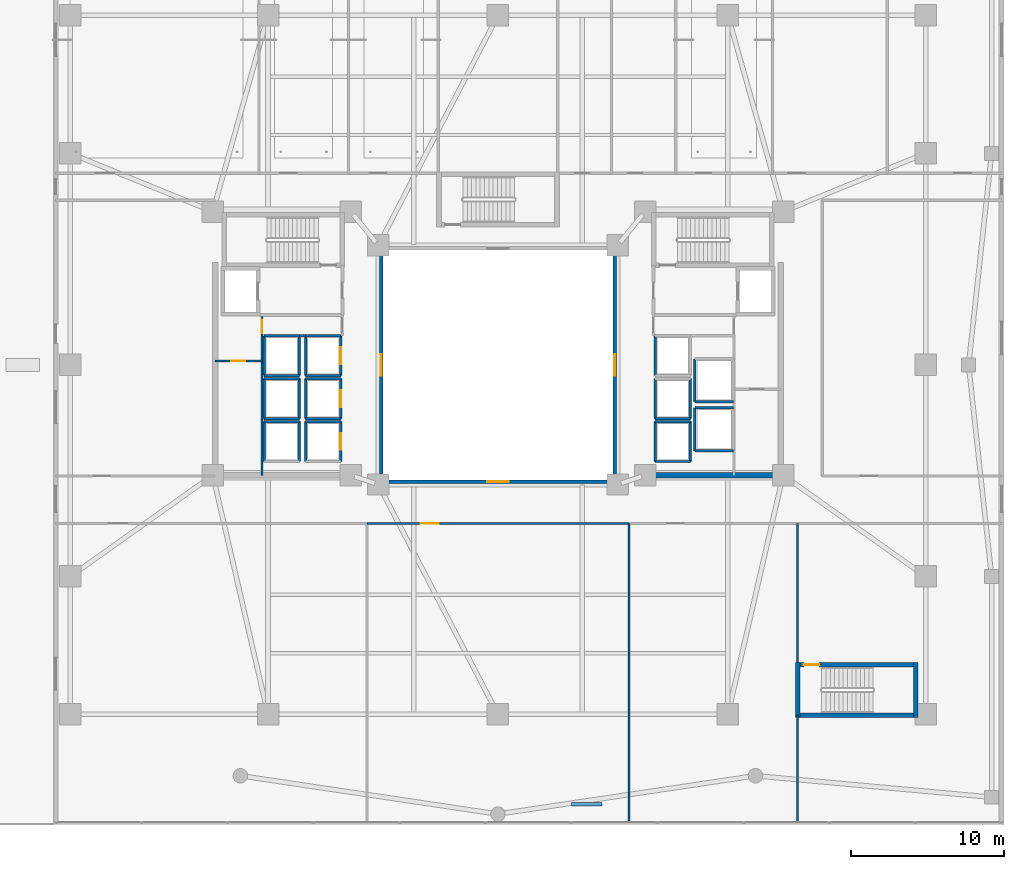
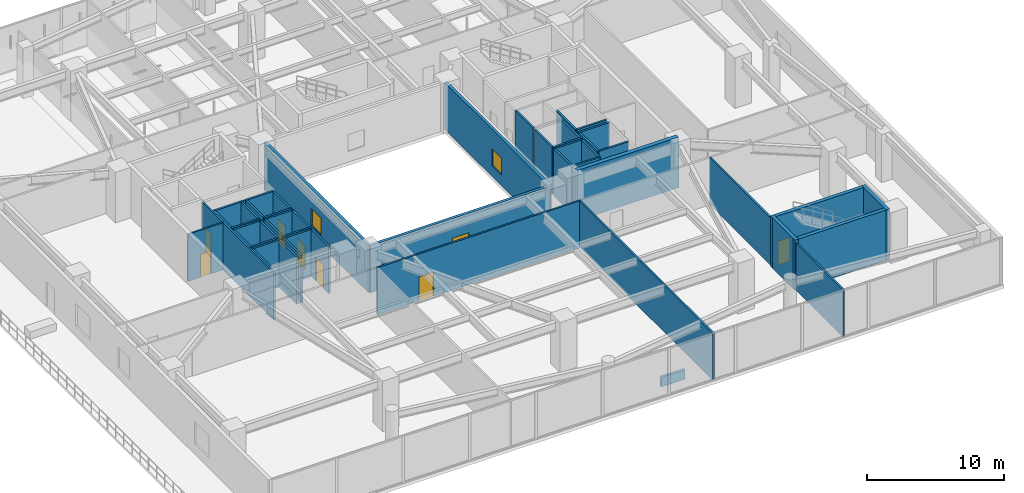
# One storey, part 19 of 29: 51 walls, 7 doors, 3 windows, 10 openings.
"""IFC4 building model written with IfcOpenShell, lengths in metres."""

from ifc_helpers import new_model, si_unit, direction, frame, frame_2d, origin, place, context, subcontext, project, spatial, rectangle, extrude, material, layer, layer_set, type_object, element, fill, save


model = new_model("IFC4")

# Units and contexts
model_context = context("Model", 3, precision=1e-05, world=origin(), true_north=direction((0.0, 1.0)))
body_context = subcontext(model_context, "Body", "Model", "MODEL_VIEW")
ifc_project = project(units=[si_unit("LENGTHUNIT", "METRE"), si_unit("AREAUNIT", "SQUARE_METRE"), si_unit("VOLUMEUNIT", "CUBIC_METRE"), si_unit("PLANEANGLEUNIT", "RADIAN"), si_unit("MASSUNIT", "GRAM", prefix="KILO")], contexts=[model_context])

# Site, building, storey
site_placement = place(None, origin())
site = spatial("IfcSite", under=ifc_project, at=site_placement, CompositionType="ELEMENT")
building_placement = place(site_placement, origin())
building = spatial("IfcBuilding", under=site, at=building_placement, Name="Tarnavaz Court Tower", CompositionType="ELEMENT")
storey_placement = place(building_placement, frame((0.0, 0.0, 5.39990234375)))
storey = spatial("IfcBuildingStorey", under=building, at=storey_placement, Name="L01", CompositionType="ELEMENT", Elevation=5.39990234375)

# Wall, opening, door
ifc_material_1 = material(Name="Concrete C60/75", Category="concrete")
ifc_layer_1 = layer(ifc_material_1, 0.300048828125)
ifc_layer_set_1 = layer_set([ifc_layer_1], Name="Concrete C60/75")
wall_type_1 = type_object("IfcWallType", Name="WL-CORE-300-C60", PredefinedType="SHEAR", material=ifc_layer_set_1)
wall_1_placement = place(storey_placement, frame((19.39990234375, -19.56005859375, 0.0), z_axis=(0.0, 0.0, 1.0), x_axis=(1.0, 0.0, 0.0)))
wall_1 = element("IfcWall", 1, at=wall_1_placement, inside=storey, type_object=wall_type_1, Name="L01 Podium Stair Core Wall 013", PredefinedType="SHEAR", context=body_context, shape_type="SweptSolid", body=[
    extrude(rectangle(XDim=8.0, YDim=0.300048828125, at=frame_2d((4.0, 0.0))), origin(), (0.0, 0.0, 1.0), 4.5),
])
opening_1_placement = place(wall_1_placement, frame((0.550048828125, 0.0, 0.0)))
opening_1 = element("IfcOpeningElement", 2, at=opening_1_placement, cuts=wall_1, Name="Opening D01", PredefinedType="OPENING", context=body_context, shape_type="SweptSolid", body=[
    extrude(rectangle(XDim=1.0, YDim=2.14990234375, at=frame_2d((0.5, 1.074951171875))), frame((0.0, 0.159912109375, 0.0), z_axis=(0.0, -1.0, 0.0), x_axis=(1.0, 0.0, 0.0)), (0.0, 0.0, 1.0), 0.320068359375),
])
ifc_material_2 = material(Name="Fire-Rated Hardwood Timber Core", Category="wood")
door_type_1 = type_object("IfcDoorType", Name="DR-FD90-1000", OperationType="NOTDEFINED", PredefinedType="DOOR", material=ifc_material_2)
door_1_placement = place(opening_1_placement, origin())
door_1 = element("IfcDoor", 3, at=door_1_placement, inside=storey, type_object=door_type_1, Name="L01 Stair ST-P1 Exit Door", OperationType="SINGLE_SWING_RIGHT", OverallHeight=2.14990234375, OverallWidth=1.0, PredefinedType="DOOR", context=body_context, shape_type="SweptSolid", body=[
    extrude(rectangle(XDim=1.0, YDim=2.14990234375, at=frame_2d((0.5, 1.074951171875))), frame((0.0, 0.02490234375, 0.0), z_axis=(0.0, -1.0, 0.0), x_axis=(1.0, 0.0, 0.0)), (0.0, 0.0, 1.0), 0.050048828125),
])
fill(opening_1, door_1)

# Walls
wall_2_placement = place(storey_placement, frame((19.39990234375, -22.85009765625, 0.0), z_axis=(0.0, 0.0, 1.0), x_axis=(1.0, 0.0, 0.0)))
element("IfcWall", 4, at=wall_2_placement, inside=storey, type_object=wall_type_1, Name="L01 Podium Stair Core Wall 014", PredefinedType="SHEAR", context=body_context, shape_type="SweptSolid", body=[
    extrude(rectangle(XDim=8.0, YDim=0.300048828125, at=frame_2d((4.0, 0.0))), origin(), (0.0, 0.0, 1.0), 4.5),
])
for number, where, z_axis, x_axis, name in (
    (5, (19.550048828125, -23.0, 0.0), (0.0, 0.0, 1.0), (0.0, 1.0, 0.0), "L01 Podium Stair Core Wall 015"),
    (6, (27.25, -23.0, 0.0), (0.0, 0.0, 1.0), (0.0, 1.0, 0.0), "L01 Podium Stair Core Wall 016"),
):
    element("IfcWall", number, at=place(storey_placement, frame(where, z_axis=z_axis, x_axis=x_axis)), inside=storey, type_object=wall_type_1, Name=name, PredefinedType="SHEAR", context=body_context, shape_type="SweptSolid", body=[
        extrude(rectangle(XDim=3.590087890625, YDim=0.300048828125, at=frame_2d((1.794921875, 0.0))), origin(), (0.0, 0.0, 1.0), 4.5),
    ])
ifc_layer_2 = layer(ifc_material_1, 0.35009765625)
ifc_layer_set_2 = layer_set([ifc_layer_2], Name="Concrete C60/75")
wall_type_2 = type_object("IfcWallType", Name="WL-CORE-350-C60", PredefinedType="SHEAR", material=ifc_layer_set_2)
wall_3_placement = place(storey_placement, frame((10.074951171875, -7.199951171875, 0.0), z_axis=(0.0, 0.0, 1.0), x_axis=(1.0, 0.0, 0.0)))
element("IfcWall", 7, at=wall_3_placement, inside=storey, type_object=wall_type_2, Name="L01 East Core South Shear Wall 076", PredefinedType="SHEAR", context=body_context, shape_type="SweptSolid", body=[
    extrude(rectangle(XDim=8.550048828125, YDim=0.35009765625, at=frame_2d((4.27490234375, 0.0))), origin(), (0.0, 0.0, 1.0), 4.5),
])

# Wall, opening, door
ifc_material_3 = material(Name="Gypsum Fire-Board on Acoustic Metal Stud", Category="masonry")
ifc_layer_3 = layer(ifc_material_3, 0.14990234375)
ifc_layer_set_3 = layer_set([ifc_layer_3], Name="Gypsum Fire-Board on Acoustic Metal Stud")
wall_type_3 = type_object("IfcWallType", Name="WL-FIRE-150", PredefinedType="PARTITIONING", material=ifc_layer_set_3)
wall_4_placement = place(storey_placement, frame((-8.550048828125, -10.35009765625, 0.0), z_axis=(0.0, 0.0, 1.0), x_axis=(1.0, 0.0, 0.0)))
wall_4 = element("IfcWall", 8, at=wall_4_placement, inside=storey, type_object=wall_type_3, Name="L01 South Ring Corridor Wall 089", PredefinedType="PARTITIONING", context=body_context, shape_type="SweptSolid", body=[
    extrude(rectangle(XDim=17.10009765625, YDim=0.14990234375, at=frame_2d((8.550048828125, 0.0))), origin(), (0.0, 0.0, 1.0), 4.2001953125),
])
opening_2_placement = place(wall_4_placement, frame((3.5, 0.0, 0.0)))
opening_2 = element("IfcOpeningElement", 9, at=opening_2_placement, cuts=wall_4, Name="Opening D11", PredefinedType="OPENING", context=body_context, shape_type="SweptSolid", body=[
    extrude(rectangle(XDim=1.199951171875, YDim=2.14990234375, at=frame_2d((0.60009765625, 1.074951171875))), frame((0.0, 0.0849609375, 0.0), z_axis=(0.0, -1.0, 0.0), x_axis=(1.0, 0.0, 0.0)), (0.0, 0.0, 1.0), 0.169921875),
])
ifc_material_4 = material(Name="Engineered Oak Timber", Category="wood")
door_type_2 = type_object("IfcDoorType", Name="DR-INT-1200", OperationType="NOTDEFINED", PredefinedType="DOOR", material=ifc_material_4)
door_2_placement = place(opening_2_placement, origin())
door_2 = element("IfcDoor", 10, at=door_2_placement, inside=storey, type_object=door_type_2, Name="L01 Clinical Pathology Laboratory Door", OperationType="SINGLE_SWING_LEFT", OverallHeight=2.14990234375, OverallWidth=1.199951171875, PredefinedType="DOOR", context=body_context, shape_type="SweptSolid", body=[
    extrude(rectangle(XDim=1.199951171875, YDim=2.14990234375, at=frame_2d((0.60009765625, 1.074951171875))), frame((0.0, 0.02490234375, 0.0), z_axis=(0.0, -1.0, 0.0), x_axis=(1.0, 0.0, 0.0)), (0.0, 0.0, 1.0), 0.050048828125),
])
fill(opening_2, door_2)

# Walls
ifc_material_5 = material(Name="Precast Concrete C40/50", Category="concrete")
ifc_layer_4 = layer(ifc_material_5, 0.219970703125)
ifc_layer_set_4 = layer_set([ifc_layer_4], Name="Precast Concrete C40/50")
wall_type_4 = type_object("IfcWallType", Name="WL-PARAPET-220", PredefinedType="PARAPET", material=ifc_layer_set_4)
wall_5_placement = place(storey_placement, frame((4.800048828125, -28.64990234375, 0.0), z_axis=(0.0, 0.0, 1.0), x_axis=(1.0, 0.0, 0.0)))
element("IfcWall", 11, at=wall_5_placement, inside=storey, type_object=wall_type_4, Name="L01 South Prow Terracotta Parapet Upstand", PredefinedType="PARAPET", context=body_context, shape_type="SweptSolid", body=[
    extrude(rectangle(XDim=2.0, YDim=0.219970703125, at=frame_2d((1.0, 0.0))), origin(), (0.0, 0.0, 1.0), 0.85009765625),
])
ifc_material_6 = material(Name="Gypsum Plasterboard Acoustic Partition", Category="masonry")
ifc_layer_5 = layer(ifc_material_6, 0.139892578125)
ifc_layer_set_5 = layer_set([ifc_layer_5], Name="Gypsum Plasterboard Acoustic Partition")
wall_type_5 = type_object("IfcWallType", Name="WL-PART-150", PredefinedType="PARTITIONING", material=ifc_layer_set_5)
wall_6_placement = place(storey_placement, frame((-12.949951171875, 1.89990234375, 0.0), z_axis=(0.0, 0.0, 1.0), x_axis=(1.0, 0.0, 0.0)))
element("IfcWall", 12, at=wall_6_placement, inside=storey, type_object=wall_type_5, Name="L01 Interior Partition 077", PredefinedType="PARTITIONING", context=body_context, shape_type="SweptSolid", body=[
    extrude(rectangle(XDim=0.39990234375, YDim=0.139892578125, at=frame_2d((0.199951171875, 0.0))), origin(), (0.0, 0.0, 1.0), 4.2001953125),
])

# Wall, opening, door
wall_7_placement = place(storey_placement, frame((-15.39990234375, -7.199951171875, 0.0), z_axis=(0.0, 0.0, 1.0), x_axis=(0.0, 1.0, 0.0)))
wall_7 = element("IfcWall", 13, at=wall_7_placement, inside=storey, type_object=wall_type_5, Name="L01 Interior Partition 079", PredefinedType="PARTITIONING", context=body_context, shape_type="SweptSolid", body=[
    extrude(rectangle(XDim=10.449951171875, YDim=0.139892578125, at=frame_2d((5.22509765625, 0.0))), origin(), (0.0, 0.0, 1.0), 4.2001953125),
])
opening_3_placement = place(wall_7_placement, frame((9.25, 0.0, 0.0)))
opening_3 = element("IfcOpeningElement", 14, at=opening_3_placement, cuts=wall_7, Name="Opening D09", PredefinedType="OPENING", context=body_context, shape_type="SweptSolid", body=[
    extrude(rectangle(XDim=0.89990234375, YDim=2.080078125, at=frame_2d((0.449951171875, 1.0400390625))), frame((0.0, 0.079833984375, 0.0), z_axis=(0.0, -1.0, 0.0), x_axis=(1.0, 0.0, 0.0)), (0.0, 0.0, 1.0), 0.159912109375),
])
door_type_3 = type_object("IfcDoorType", Name="DR-FD30-900", OperationType="NOTDEFINED", PredefinedType="DOOR", material=ifc_material_2)
door_3_placement = place(opening_3_placement, origin())
door_3 = element("IfcDoor", 15, at=door_3_placement, inside=storey, type_object=door_type_3, Name="L01 West Data Room Door", OperationType="SINGLE_SWING_LEFT", OverallHeight=2.080078125, OverallWidth=0.89990234375, PredefinedType="DOOR", context=body_context, shape_type="SweptSolid", body=[
    extrude(rectangle(XDim=0.89990234375, YDim=2.080078125, at=frame_2d((0.449951171875, 1.0400390625))), frame((0.0, 0.02490234375, 0.0), z_axis=(0.0, -1.0, 0.0), x_axis=(1.0, 0.0, 0.0)), (0.0, 0.0, 1.0), 0.050048828125),
])
fill(opening_3, door_3)

wall_8_placement = place(storey_placement, frame((-18.449951171875, 0.25, 0.0), z_axis=(0.0, 0.0, 1.0), x_axis=(1.0, 0.0, 0.0)))
wall_8 = element("IfcWall", 16, at=wall_8_placement, inside=storey, type_object=wall_type_5, Name="L01 Interior Partition 080", PredefinedType="PARTITIONING", context=body_context, shape_type="SweptSolid", body=[
    extrude(rectangle(XDim=3.050048828125, YDim=0.139892578125, at=frame_2d((1.52490234375, 0.0))), origin(), (0.0, 0.0, 1.0), 4.2001953125),
])
opening_4_placement = place(wall_8_placement, frame((1.050048828125, 0.0, 0.0)))
opening_4 = element("IfcOpeningElement", 17, at=opening_4_placement, cuts=wall_8, Name="Opening D09", PredefinedType="OPENING", context=body_context, shape_type="SweptSolid", body=[
    extrude(rectangle(XDim=0.89990234375, YDim=2.080078125, at=frame_2d((0.449951171875, 1.0400390625))), frame((0.0, 0.079833984375, 0.0), z_axis=(0.0, -1.0, 0.0), x_axis=(1.0, 0.0, 0.0)), (0.0, 0.0, 1.0), 0.159912109375),
])
door_4_placement = place(opening_4_placement, origin())
door_4 = element("IfcDoor", 18, at=door_4_placement, inside=storey, type_object=door_type_3, Name="L01 West Mechanical Riser Door", OperationType="SINGLE_SWING_RIGHT", OverallHeight=2.080078125, OverallWidth=0.89990234375, PredefinedType="DOOR", context=body_context, shape_type="SweptSolid", body=[
    extrude(rectangle(XDim=0.89990234375, YDim=2.080078125, at=frame_2d((0.449951171875, 1.0400390625))), frame((0.0, 0.02490234375, 0.0), z_axis=(0.0, -1.0, 0.0), x_axis=(1.0, 0.0, 0.0)), (0.0, 0.0, 1.0), 0.050048828125),
])
fill(opening_4, door_4)

# Walls
wall_9_placement = place(storey_placement, frame((8.550048828125, -29.8798828125, 0.0), z_axis=(0.0, 0.0, 1.0), x_axis=(0.0, 1.0, 0.0)))
element("IfcWall", 19, at=wall_9_placement, inside=storey, type_object=wall_type_5, Name="L01 Interior Partition 100", PredefinedType="PARTITIONING", context=body_context, shape_type="SweptSolid", body=[
    extrude(rectangle(XDim=19.52978515625, YDim=0.139892578125, at=frame_2d((9.764892578125, 0.0))), origin(), (0.0, 0.0, 1.0), 4.2001953125),
])
wall_10_placement = place(storey_placement, frame((19.550048828125, -29.8798828125, 0.0), z_axis=(0.0, 0.0, 1.0), x_axis=(0.0, 1.0, 0.0)))
element("IfcWall", 20, at=wall_10_placement, inside=storey, type_object=wall_type_5, Name="L01 Interior Partition 101", PredefinedType="PARTITIONING", context=body_context, shape_type="SweptSolid", body=[
    extrude(rectangle(XDim=7.02978515625, YDim=0.139892578125, at=frame_2d((3.514892578125, 0.0))), origin(), (0.0, 0.0, 1.0), 4.2001953125),
])
wall_11_placement = place(storey_placement, frame((19.550048828125, -19.56005859375, 0.0), z_axis=(0.0, 0.0, 1.0), x_axis=(0.0, 1.0, 0.0)))
element("IfcWall", 21, at=wall_11_placement, inside=storey, type_object=wall_type_5, Name="L01 Interior Partition 102", PredefinedType="PARTITIONING", context=body_context, shape_type="SweptSolid", body=[
    extrude(rectangle(XDim=9.2099609375, YDim=0.139892578125, at=frame_2d((4.60498046875, 0.0))), origin(), (0.0, 0.0, 1.0), 4.2001953125),
])
ifc_material_7 = material(Name="Autoclaved Aerated Concrete Blockwork", Category="masonry")
ifc_layer_6 = layer(ifc_material_7, 0.159912109375)
ifc_layer_set_6 = layer_set([ifc_layer_6], Name="Autoclaved Aerated Concrete Blockwork")
wall_type_6 = type_object("IfcWallType", Name="WL-SHAFT-150", PredefinedType="SOLIDWALL", material=ifc_layer_set_6)
wall_12_placement = place(storey_placement, frame((-12.550048828125, -6.300048828125, 0.0), z_axis=(0.0, 0.0, 1.0), x_axis=(0.0, 1.0, 0.0)))
element("IfcWall", 22, at=wall_12_placement, inside=storey, type_object=wall_type_6, Name="L01 Lift PL-L1 Shaft Wall 025", PredefinedType="SOLIDWALL", context=body_context, shape_type="SweptSolid", body=[
    extrude(rectangle(XDim=2.60009765625, YDim=0.159912109375, at=frame_2d((1.300048828125, 0.0))), origin(), (0.0, 0.0, 1.0), 4.2001953125),
])

# Wall, opening, door
wall_13_placement = place(storey_placement, frame((-10.25, -6.300048828125, 0.0), z_axis=(0.0, 0.0, 1.0), x_axis=(0.0, 1.0, 0.0)))
wall_13 = element("IfcWall", 23, at=wall_13_placement, inside=storey, type_object=wall_type_6, Name="L01 Lift PL-L1 Shaft Wall 026", PredefinedType="SOLIDWALL", context=body_context, shape_type="SweptSolid", body=[
    extrude(rectangle(XDim=2.60009765625, YDim=0.159912109375, at=frame_2d((1.300048828125, 0.0))), origin(), (0.0, 0.0, 1.0), 4.2001953125),
])
opening_5_placement = place(wall_13_placement, frame((0.75, 0.0, 0.0)))
opening_5 = element("IfcOpeningElement", 24, at=opening_5_placement, cuts=wall_13, Name="Opening LD1", PredefinedType="OPENING", context=body_context, shape_type="SweptSolid", body=[
    extrude(rectangle(XDim=1.10009765625, YDim=2.14990234375, at=frame_2d((0.550048828125, 1.074951171875))), frame((0.0, 0.08984375, 0.0), z_axis=(0.0, -1.0, 0.0), x_axis=(1.0, 0.0, 0.0)), (0.0, 0.0, 1.0), 0.179931640625),
])
ifc_material_8 = material(Name="Stainless Steel", Category="steel")
door_type_4 = type_object("IfcDoorType", Name="DR-LD-1100", OperationType="NOTDEFINED", PredefinedType="DOOR", material=ifc_material_8)
door_5_placement = place(opening_5_placement, origin())
door_5 = element("IfcDoor", 25, at=door_5_placement, inside=storey, type_object=door_type_4, Name="L01 Lift Landing Door LD-PL-L1", OperationType="SLIDING_TO_LEFT", OverallHeight=2.14990234375, OverallWidth=1.10009765625, PredefinedType="DOOR", context=body_context, shape_type="SweptSolid", body=[
    extrude(rectangle(XDim=1.10009765625, YDim=2.14990234375, at=frame_2d((0.550048828125, 1.074951171875))), frame((0.0, 0.02490234375, 0.0), z_axis=(0.0, -1.0, 0.0), x_axis=(1.0, 0.0, 0.0)), (0.0, 0.0, 1.0), 0.050048828125),
])
fill(opening_5, door_5)

# Walls
wall_14_placement = place(storey_placement, frame((-12.550048828125, -3.699951171875, 0.0), z_axis=(0.0, 0.0, 1.0), x_axis=(1.0, 0.0, 0.0)))
element("IfcWall", 26, at=wall_14_placement, inside=storey, type_object=wall_type_6, Name="L01 Lift PL-L1 Shaft Wall 028", PredefinedType="SOLIDWALL", context=body_context, shape_type="SweptSolid", body=[
    extrude(rectangle(XDim=2.300048828125, YDim=0.159912109375, at=frame_2d((1.14990234375, 0.0))), origin(), (0.0, 0.0, 1.0), 4.2001953125),
])
wall_15_placement = place(storey_placement, frame((-12.550048828125, -3.5, 0.0), z_axis=(0.0, 0.0, 1.0), x_axis=(0.0, 1.0, 0.0)))
element("IfcWall", 27, at=wall_15_placement, inside=storey, type_object=wall_type_6, Name="L01 Lift PL-L2 Shaft Wall 029", PredefinedType="SOLIDWALL", context=body_context, shape_type="SweptSolid", body=[
    extrude(rectangle(XDim=2.60009765625, YDim=0.159912109375, at=frame_2d((1.300048828125, 0.0))), origin(), (0.0, 0.0, 1.0), 4.2001953125),
])

# Wall, opening, door
wall_16_placement = place(storey_placement, frame((-10.25, -3.5, 0.0), z_axis=(0.0, 0.0, 1.0), x_axis=(0.0, 1.0, 0.0)))
wall_16 = element("IfcWall", 28, at=wall_16_placement, inside=storey, type_object=wall_type_6, Name="L01 Lift PL-L2 Shaft Wall 030", PredefinedType="SOLIDWALL", context=body_context, shape_type="SweptSolid", body=[
    extrude(rectangle(XDim=2.60009765625, YDim=0.159912109375, at=frame_2d((1.300048828125, 0.0))), origin(), (0.0, 0.0, 1.0), 4.2001953125),
])
opening_6_placement = place(wall_16_placement, frame((0.75, 0.0, 0.0)))
opening_6 = element("IfcOpeningElement", 29, at=opening_6_placement, cuts=wall_16, Name="Opening LD1", PredefinedType="OPENING", context=body_context, shape_type="SweptSolid", body=[
    extrude(rectangle(XDim=1.10009765625, YDim=2.14990234375, at=frame_2d((0.550048828125, 1.074951171875))), frame((0.0, 0.08984375, 0.0), z_axis=(0.0, -1.0, 0.0), x_axis=(1.0, 0.0, 0.0)), (0.0, 0.0, 1.0), 0.179931640625),
])
door_6_placement = place(opening_6_placement, origin())
door_6 = element("IfcDoor", 30, at=door_6_placement, inside=storey, type_object=door_type_4, Name="L01 Lift Landing Door LD-PL-L2", OperationType="SLIDING_TO_LEFT", OverallHeight=2.14990234375, OverallWidth=1.10009765625, PredefinedType="DOOR", context=body_context, shape_type="SweptSolid", body=[
    extrude(rectangle(XDim=1.10009765625, YDim=2.14990234375, at=frame_2d((0.550048828125, 1.074951171875))), frame((0.0, 0.02490234375, 0.0), z_axis=(0.0, -1.0, 0.0), x_axis=(1.0, 0.0, 0.0)), (0.0, 0.0, 1.0), 0.050048828125),
])
fill(opening_6, door_6)

# Walls
for number, where, z_axis, x_axis, name in (
    (31, (-12.550048828125, -3.5, 0.0), (0.0, 0.0, 1.0), (1.0, 0.0, 0.0), "L01 Lift PL-L2 Shaft Wall 031"),
    (32, (-12.550048828125, -0.89990234375, 0.0), (0.0, 0.0, 1.0), (1.0, 0.0, 0.0), "L01 Lift PL-L2 Shaft Wall 032"),
):
    element("IfcWall", number, at=place(storey_placement, frame(where, z_axis=z_axis, x_axis=x_axis)), inside=storey, type_object=wall_type_6, Name=name, PredefinedType="SOLIDWALL", context=body_context, shape_type="SweptSolid", body=[
        extrude(rectangle(XDim=2.300048828125, YDim=0.159912109375, at=frame_2d((1.14990234375, 0.0))), origin(), (0.0, 0.0, 1.0), 4.2001953125),
    ])
wall_17_placement = place(storey_placement, frame((-12.550048828125, -0.699951171875, 0.0), z_axis=(0.0, 0.0, 1.0), x_axis=(0.0, 1.0, 0.0)))
element("IfcWall", 33, at=wall_17_placement, inside=storey, type_object=wall_type_6, Name="L01 Lift PL-L3 Shaft Wall 033", PredefinedType="SOLIDWALL", context=body_context, shape_type="SweptSolid", body=[
    extrude(rectangle(XDim=2.599853515625, YDim=0.159912109375, at=frame_2d((1.2998046875, 0.0))), origin(), (0.0, 0.0, 1.0), 4.2001953125),
])

# Wall, opening, door
wall_18_placement = place(storey_placement, frame((-10.25, -0.699951171875, 0.0), z_axis=(0.0, 0.0, 1.0), x_axis=(0.0, 1.0, 0.0)))
wall_18 = element("IfcWall", 34, at=wall_18_placement, inside=storey, type_object=wall_type_6, Name="L01 Lift PL-L3 Shaft Wall 034", PredefinedType="SOLIDWALL", context=body_context, shape_type="SweptSolid", body=[
    extrude(rectangle(XDim=2.599853515625, YDim=0.159912109375, at=frame_2d((1.2998046875, 0.0))), origin(), (0.0, 0.0, 1.0), 4.2001953125),
])
opening_7_placement = place(wall_18_placement, frame((0.75, 0.0, 0.0)))
opening_7 = element("IfcOpeningElement", 35, at=opening_7_placement, cuts=wall_18, Name="Opening LD1", PredefinedType="OPENING", context=body_context, shape_type="SweptSolid", body=[
    extrude(rectangle(XDim=1.10009765625, YDim=2.14990234375, at=frame_2d((0.550048828125, 1.074951171875))), frame((0.0, 0.08984375, 0.0), z_axis=(0.0, -1.0, 0.0), x_axis=(1.0, 0.0, 0.0)), (0.0, 0.0, 1.0), 0.179931640625),
])
door_7_placement = place(opening_7_placement, origin())
door_7 = element("IfcDoor", 36, at=door_7_placement, inside=storey, type_object=door_type_4, Name="L01 Lift Landing Door LD-PL-L3", OperationType="SLIDING_TO_LEFT", OverallHeight=2.14990234375, OverallWidth=1.10009765625, PredefinedType="DOOR", context=body_context, shape_type="SweptSolid", body=[
    extrude(rectangle(XDim=1.10009765625, YDim=2.14990234375, at=frame_2d((0.550048828125, 1.074951171875))), frame((0.0, 0.02490234375, 0.0), z_axis=(0.0, -1.0, 0.0), x_axis=(1.0, 0.0, 0.0)), (0.0, 0.0, 1.0), 0.050048828125),
])
fill(opening_7, door_7)

# Walls
for number, where, z_axis, x_axis, name in (
    (37, (-12.550048828125, -0.699951171875, 0.0), (0.0, 0.0, 1.0), (1.0, 0.0, 0.0), "L01 Lift PL-L3 Shaft Wall 035"),
    (38, (-12.550048828125, 1.89990234375, 0.0), (0.0, 0.0, 1.0), (1.0, 0.0, 0.0), "L01 Lift PL-L3 Shaft Wall 036"),
):
    element("IfcWall", number, at=place(storey_placement, frame(where, z_axis=z_axis, x_axis=x_axis)), inside=storey, type_object=wall_type_6, Name=name, PredefinedType="SOLIDWALL", context=body_context, shape_type="SweptSolid", body=[
        extrude(rectangle(XDim=2.300048828125, YDim=0.159912109375, at=frame_2d((1.14990234375, 0.0))), origin(), (0.0, 0.0, 1.0), 4.2001953125),
    ])
for number, where, z_axis, x_axis, name in (
    (39, (-15.25, -6.300048828125, 0.0), (0.0, 0.0, 1.0), (0.0, 1.0, 0.0), "L01 Lift PL-H1 Shaft Wall 037"),
    (40, (-12.949951171875, -6.300048828125, 0.0), (0.0, 0.0, 1.0), (0.0, 1.0, 0.0), "L01 Lift PL-H1 Shaft Wall 038"),
):
    element("IfcWall", number, at=place(storey_placement, frame(where, z_axis=z_axis, x_axis=x_axis)), inside=storey, type_object=wall_type_6, Name=name, PredefinedType="SOLIDWALL", context=body_context, shape_type="SweptSolid", body=[
        extrude(rectangle(XDim=2.60009765625, YDim=0.159912109375, at=frame_2d((1.300048828125, 0.0))), origin(), (0.0, 0.0, 1.0), 4.2001953125),
    ])
wall_19_placement = place(storey_placement, frame((-15.25, -3.699951171875, 0.0), z_axis=(0.0, 0.0, 1.0), x_axis=(1.0, 0.0, 0.0)))
element("IfcWall", 41, at=wall_19_placement, inside=storey, type_object=wall_type_6, Name="L01 Lift PL-H1 Shaft Wall 040", PredefinedType="SOLIDWALL", context=body_context, shape_type="SweptSolid", body=[
    extrude(rectangle(XDim=2.300048828125, YDim=0.159912109375, at=frame_2d((1.14990234375, 0.0))), origin(), (0.0, 0.0, 1.0), 4.2001953125),
])
for number, where, z_axis, x_axis, name in (
    (42, (-15.25, -3.5, 0.0), (0.0, 0.0, 1.0), (0.0, 1.0, 0.0), "L01 Lift PL-H2 Shaft Wall 041"),
    (43, (-12.949951171875, -3.5, 0.0), (0.0, 0.0, 1.0), (0.0, 1.0, 0.0), "L01 Lift PL-H2 Shaft Wall 042"),
):
    element("IfcWall", number, at=place(storey_placement, frame(where, z_axis=z_axis, x_axis=x_axis)), inside=storey, type_object=wall_type_6, Name=name, PredefinedType="SOLIDWALL", context=body_context, shape_type="SweptSolid", body=[
        extrude(rectangle(XDim=2.60009765625, YDim=0.159912109375, at=frame_2d((1.300048828125, 0.0))), origin(), (0.0, 0.0, 1.0), 4.2001953125),
    ])
for number, where, z_axis, x_axis, name in (
    (44, (-15.25, -3.5, 0.0), (0.0, 0.0, 1.0), (1.0, 0.0, 0.0), "L01 Lift PL-H2 Shaft Wall 043"),
    (45, (-15.25, -0.89990234375, 0.0), (0.0, 0.0, 1.0), (1.0, 0.0, 0.0), "L01 Lift PL-H2 Shaft Wall 044"),
):
    element("IfcWall", number, at=place(storey_placement, frame(where, z_axis=z_axis, x_axis=x_axis)), inside=storey, type_object=wall_type_6, Name=name, PredefinedType="SOLIDWALL", context=body_context, shape_type="SweptSolid", body=[
        extrude(rectangle(XDim=2.300048828125, YDim=0.159912109375, at=frame_2d((1.14990234375, 0.0))), origin(), (0.0, 0.0, 1.0), 4.2001953125),
    ])
for number, where, z_axis, x_axis, name in (
    (46, (-15.25, -0.699951171875, 0.0), (0.0, 0.0, 1.0), (0.0, 1.0, 0.0), "L01 Lift PL-H3 Shaft Wall 045"),
    (47, (-12.949951171875, -0.699951171875, 0.0), (0.0, 0.0, 1.0), (0.0, 1.0, 0.0), "L01 Lift PL-H3 Shaft Wall 046"),
):
    element("IfcWall", number, at=place(storey_placement, frame(where, z_axis=z_axis, x_axis=x_axis)), inside=storey, type_object=wall_type_6, Name=name, PredefinedType="SOLIDWALL", context=body_context, shape_type="SweptSolid", body=[
        extrude(rectangle(XDim=2.599853515625, YDim=0.159912109375, at=frame_2d((1.2998046875, 0.0))), origin(), (0.0, 0.0, 1.0), 4.2001953125),
    ])
for number, where, z_axis, x_axis, name in (
    (48, (-15.25, -0.699951171875, 0.0), (0.0, 0.0, 1.0), (1.0, 0.0, 0.0), "L01 Lift PL-H3 Shaft Wall 047"),
    (49, (-15.25, 1.89990234375, 0.0), (0.0, 0.0, 1.0), (1.0, 0.0, 0.0), "L01 Lift PL-H3 Shaft Wall 048"),
):
    element("IfcWall", number, at=place(storey_placement, frame(where, z_axis=z_axis, x_axis=x_axis)), inside=storey, type_object=wall_type_6, Name=name, PredefinedType="SOLIDWALL", context=body_context, shape_type="SweptSolid", body=[
        extrude(rectangle(XDim=2.300048828125, YDim=0.159912109375, at=frame_2d((1.14990234375, 0.0))), origin(), (0.0, 0.0, 1.0), 4.2001953125),
    ])
for number, where, z_axis, x_axis, name in (
    (50, (10.25, -6.300048828125, 0.0), (0.0, 0.0, 1.0), (0.0, 1.0, 0.0), "L01 Lift PL-M1 Shaft Wall 053"),
    (51, (12.550048828125, -6.300048828125, 0.0), (0.0, 0.0, 1.0), (0.0, 1.0, 0.0), "L01 Lift PL-M1 Shaft Wall 054"),
):
    element("IfcWall", number, at=place(storey_placement, frame(where, z_axis=z_axis, x_axis=x_axis)), inside=storey, type_object=wall_type_6, Name=name, PredefinedType="SOLIDWALL", context=body_context, shape_type="SweptSolid", body=[
        extrude(rectangle(XDim=2.60009765625, YDim=0.159912109375, at=frame_2d((1.300048828125, 0.0))), origin(), (0.0, 0.0, 1.0), 4.2001953125),
    ])
for number, where, z_axis, x_axis, name in (
    (52, (10.25, -6.300048828125, 0.0), (0.0, 0.0, 1.0), (1.0, 0.0, 0.0), "L01 Lift PL-M1 Shaft Wall 055"),
    (53, (10.25, -3.699951171875, 0.0), (0.0, 0.0, 1.0), (1.0, 0.0, 0.0), "L01 Lift PL-M1 Shaft Wall 056"),
):
    element("IfcWall", number, at=place(storey_placement, frame(where, z_axis=z_axis, x_axis=x_axis)), inside=storey, type_object=wall_type_6, Name=name, PredefinedType="SOLIDWALL", context=body_context, shape_type="SweptSolid", body=[
        extrude(rectangle(XDim=2.300048828125, YDim=0.159912109375, at=frame_2d((1.14990234375, 0.0))), origin(), (0.0, 0.0, 1.0), 4.2001953125),
    ])
for number, where, z_axis, x_axis, name in (
    (54, (10.25, -3.5, 0.0), (0.0, 0.0, 1.0), (0.0, 1.0, 0.0), "L01 Lift PL-M2 Shaft Wall 057"),
    (55, (12.550048828125, -3.5, 0.0), (0.0, 0.0, 1.0), (0.0, 1.0, 0.0), "L01 Lift PL-M2 Shaft Wall 058"),
):
    element("IfcWall", number, at=place(storey_placement, frame(where, z_axis=z_axis, x_axis=x_axis)), inside=storey, type_object=wall_type_6, Name=name, PredefinedType="SOLIDWALL", context=body_context, shape_type="SweptSolid", body=[
        extrude(rectangle(XDim=2.60009765625, YDim=0.159912109375, at=frame_2d((1.300048828125, 0.0))), origin(), (0.0, 0.0, 1.0), 4.2001953125),
    ])
wall_20_placement = place(storey_placement, frame((10.25, -3.5, 0.0), z_axis=(0.0, 0.0, 1.0), x_axis=(1.0, 0.0, 0.0)))
element("IfcWall", 56, at=wall_20_placement, inside=storey, type_object=wall_type_6, Name="L01 Lift PL-M2 Shaft Wall 059", PredefinedType="SOLIDWALL", context=body_context, shape_type="SweptSolid", body=[
    extrude(rectangle(XDim=2.300048828125, YDim=0.159912109375, at=frame_2d((1.14990234375, 0.0))), origin(), (0.0, 0.0, 1.0), 4.2001953125),
])
wall_21_placement = place(storey_placement, frame((10.25, -0.699951171875, 0.0), z_axis=(0.0, 0.0, 1.0), x_axis=(0.0, 1.0, 0.0)))
element("IfcWall", 57, at=wall_21_placement, inside=storey, type_object=wall_type_6, Name="L01 Lift PL-M3 Shaft Wall 061", PredefinedType="SOLIDWALL", context=body_context, shape_type="SweptSolid", body=[
    extrude(rectangle(XDim=2.599853515625, YDim=0.159912109375, at=frame_2d((1.2998046875, 0.0))), origin(), (0.0, 0.0, 1.0), 4.2001953125),
])
wall_22_placement = place(storey_placement, frame((12.85009765625, -5.60009765625, 0.0), z_axis=(0.0, 0.0, 1.0), x_axis=(0.0, 1.0, 0.0)))
element("IfcWall", 58, at=wall_22_placement, inside=storey, type_object=wall_type_6, Name="L01 Lift PL-OB1 Shaft Wall 065", PredefinedType="SOLIDWALL", context=body_context, shape_type="SweptSolid", body=[
    extrude(rectangle(XDim=2.800048828125, YDim=0.159912109375, at=frame_2d((1.39990234375, 0.0))), origin(), (0.0, 0.0, 1.0), 4.2001953125),
])
for number, where, z_axis, x_axis, name in (
    (59, (12.85009765625, -5.60009765625, 0.0), (0.0, 0.0, 1.0), (1.0, 0.0, 0.0), "L01 Lift PL-OB1 Shaft Wall 067"),
    (60, (12.85009765625, -2.800048828125, 0.0), (0.0, 0.0, 1.0), (1.0, 0.0, 0.0), "L01 Lift PL-OB1 Shaft Wall 068"),
):
    element("IfcWall", number, at=place(storey_placement, frame(where, z_axis=z_axis, x_axis=x_axis)), inside=storey, type_object=wall_type_6, Name=name, PredefinedType="SOLIDWALL", context=body_context, shape_type="SweptSolid", body=[
        extrude(rectangle(XDim=2.5, YDim=0.159912109375, at=frame_2d((1.25, 0.0))), origin(), (0.0, 0.0, 1.0), 4.2001953125),
    ])
wall_23_placement = place(storey_placement, frame((12.85009765625, -2.39990234375, 0.0), z_axis=(0.0, 0.0, 1.0), x_axis=(0.0, 1.0, 0.0)))
element("IfcWall", 61, at=wall_23_placement, inside=storey, type_object=wall_type_6, Name="L01 Lift PL-OB2 Shaft Wall 069", PredefinedType="SOLIDWALL", context=body_context, shape_type="SweptSolid", body=[
    extrude(rectangle(XDim=2.7998046875, YDim=0.159912109375, at=frame_2d((1.39990234375, 0.0))), origin(), (0.0, 0.0, 1.0), 4.2001953125),
])
wall_24_placement = place(storey_placement, frame((12.85009765625, -2.39990234375, 0.0), z_axis=(0.0, 0.0, 1.0), x_axis=(1.0, 0.0, 0.0)))
element("IfcWall", 62, at=wall_24_placement, inside=storey, type_object=wall_type_6, Name="L01 Lift PL-OB2 Shaft Wall 071", PredefinedType="SOLIDWALL", context=body_context, shape_type="SweptSolid", body=[
    extrude(rectangle(XDim=2.5, YDim=0.159912109375, at=frame_2d((1.25, 0.0))), origin(), (0.0, 0.0, 1.0), 4.2001953125),
])

# Wall, opening, window
ifc_layer_7 = layer(ifc_material_5, 0.239990234375)
ifc_layer_set_7 = layer_set([ifc_layer_7], Name="Precast Concrete C40/50")
wall_type_7 = type_object("IfcWallType", Name="WL-WELL-240", PredefinedType="SOLIDWALL", material=ifc_layer_set_7)
wall_25_placement = place(storey_placement, frame((-7.6201171875, -7.6201171875, 0.0), z_axis=(0.0, 0.0, 1.0), x_axis=(1.0, 0.0, 0.0)))
wall_25 = element("IfcWall", 63, at=wall_25_placement, inside=storey, type_object=wall_type_7, Name="L01 Badgir Light-Well Exterior Wall S", PredefinedType="SOLIDWALL", context=body_context, shape_type="SweptSolid", body=[
    extrude(rectangle(XDim=15.240234375, YDim=0.239990234375, at=frame_2d((7.6201171875, 0.0))), origin(), (0.0, 0.0, 1.0), 4.2001953125),
])
opening_8_placement = place(wall_25_placement, frame((6.919921875, 0.0, 0.949951171875)))
opening_8 = element("IfcOpeningElement", 64, at=opening_8_placement, cuts=wall_25, Name="Opening W13", PredefinedType="OPENING", context=body_context, shape_type="SweptSolid", body=[
    extrude(rectangle(XDim=1.39990234375, YDim=1.5, at=frame_2d((0.699951171875, 0.75))), frame((0.0, 0.1298828125, 0.0), z_axis=(0.0, -1.0, 0.0), x_axis=(1.0, 0.0, 0.0)), (0.0, 0.0, 1.0), 0.260009765625),
])
ifc_material_9 = material(Name="Double-Glazed Solar Low-E Glass", Category="glass")
window_type = type_object("IfcWindowType", Name="WN-WEL-1400", PartitioningType="SINGLE_PANEL", PredefinedType="WINDOW", material=ifc_material_9)
window_1_placement = place(opening_8_placement, origin())
window_1 = element("IfcWindow", 65, at=window_1_placement, inside=storey, type_object=window_type, Name="L01 Courtyard Gallery Window S", OverallHeight=1.5, OverallWidth=1.39990234375, PartitioningType="SINGLE_PANEL", PredefinedType="WINDOW", context=body_context, shape_type="SweptSolid", body=[
    extrude(rectangle(XDim=1.39990234375, YDim=1.5, at=frame_2d((0.699951171875, 0.75))), frame((0.0, 0.030029296875, 0.0), z_axis=(0.0, -1.0, 0.0), x_axis=(1.0, 0.0, 0.0)), (0.0, 0.0, 1.0), 0.06005859375),
])
fill(opening_8, window_1)

wall_26_placement = place(storey_placement, frame((7.6201171875, -7.6201171875, 0.0), z_axis=(0.0, 0.0, 1.0), x_axis=(0.0, 1.0, 0.0)))
wall_26 = element("IfcWall", 66, at=wall_26_placement, inside=storey, type_object=wall_type_7, Name="L01 Badgir Light-Well Exterior Wall E", PredefinedType="SOLIDWALL", context=body_context, shape_type="SweptSolid", body=[
    extrude(rectangle(XDim=15.240234375, YDim=0.239990234375, at=frame_2d((7.6201171875, 0.0))), origin(), (0.0, 0.0, 1.0), 4.2001953125),
])
opening_9_placement = place(wall_26_placement, frame((6.919921875, 0.0, 0.949951171875)))
opening_9 = element("IfcOpeningElement", 67, at=opening_9_placement, cuts=wall_26, Name="Opening W13", PredefinedType="OPENING", context=body_context, shape_type="SweptSolid", body=[
    extrude(rectangle(XDim=1.39990234375, YDim=1.5, at=frame_2d((0.699951171875, 0.75))), frame((0.0, 0.1298828125, 0.0), z_axis=(0.0, -1.0, 0.0), x_axis=(1.0, 0.0, 0.0)), (0.0, 0.0, 1.0), 0.260009765625),
])
window_2_placement = place(opening_9_placement, origin())
window_2 = element("IfcWindow", 68, at=window_2_placement, inside=storey, type_object=window_type, Name="L01 Courtyard Gallery Window E", OverallHeight=1.5, OverallWidth=1.39990234375, PartitioningType="SINGLE_PANEL", PredefinedType="WINDOW", context=body_context, shape_type="SweptSolid", body=[
    extrude(rectangle(XDim=1.39990234375, YDim=1.5, at=frame_2d((0.699951171875, 0.75))), frame((0.0, 0.030029296875, 0.0), z_axis=(0.0, -1.0, 0.0), x_axis=(1.0, 0.0, 0.0)), (0.0, 0.0, 1.0), 0.06005859375),
])
fill(opening_9, window_2)

wall_27_placement = place(storey_placement, frame((-7.6201171875, 7.6201171875, 0.0), z_axis=(0.0, 0.0, 1.0), x_axis=(0.0, -1.0, 0.0)))
wall_27 = element("IfcWall", 69, at=wall_27_placement, inside=storey, type_object=wall_type_7, Name="L01 Badgir Light-Well Exterior Wall W", PredefinedType="SOLIDWALL", context=body_context, shape_type="SweptSolid", body=[
    extrude(rectangle(XDim=15.240234375, YDim=0.239990234375, at=frame_2d((7.6201171875, 0.0))), origin(), (0.0, 0.0, 1.0), 4.2001953125),
])
opening_10_placement = place(wall_27_placement, frame((6.919921875, 0.0, 0.949951171875)))
opening_10 = element("IfcOpeningElement", 70, at=opening_10_placement, cuts=wall_27, Name="Opening W13", PredefinedType="OPENING", context=body_context, shape_type="SweptSolid", body=[
    extrude(rectangle(XDim=1.39990234375, YDim=1.5, at=frame_2d((0.699951171875, 0.75))), frame((0.0, 0.1298828125, 0.0), z_axis=(0.0, -1.0, 0.0), x_axis=(1.0, 0.0, 0.0)), (0.0, 0.0, 1.0), 0.260009765625),
])
window_3_placement = place(opening_10_placement, origin())
window_3 = element("IfcWindow", 71, at=window_3_placement, inside=storey, type_object=window_type, Name="L01 Courtyard Gallery Window W", OverallHeight=1.5, OverallWidth=1.39990234375, PartitioningType="SINGLE_PANEL", PredefinedType="WINDOW", context=body_context, shape_type="SweptSolid", body=[
    extrude(rectangle(XDim=1.39990234375, YDim=1.5, at=frame_2d((0.699951171875, 0.75))), frame((0.0, 0.030029296875, 0.0), z_axis=(0.0, -1.0, 0.0), x_axis=(1.0, 0.0, 0.0)), (0.0, 0.0, 1.0), 0.06005859375),
])
fill(opening_10, window_3)

save(model, "model.ifc")
